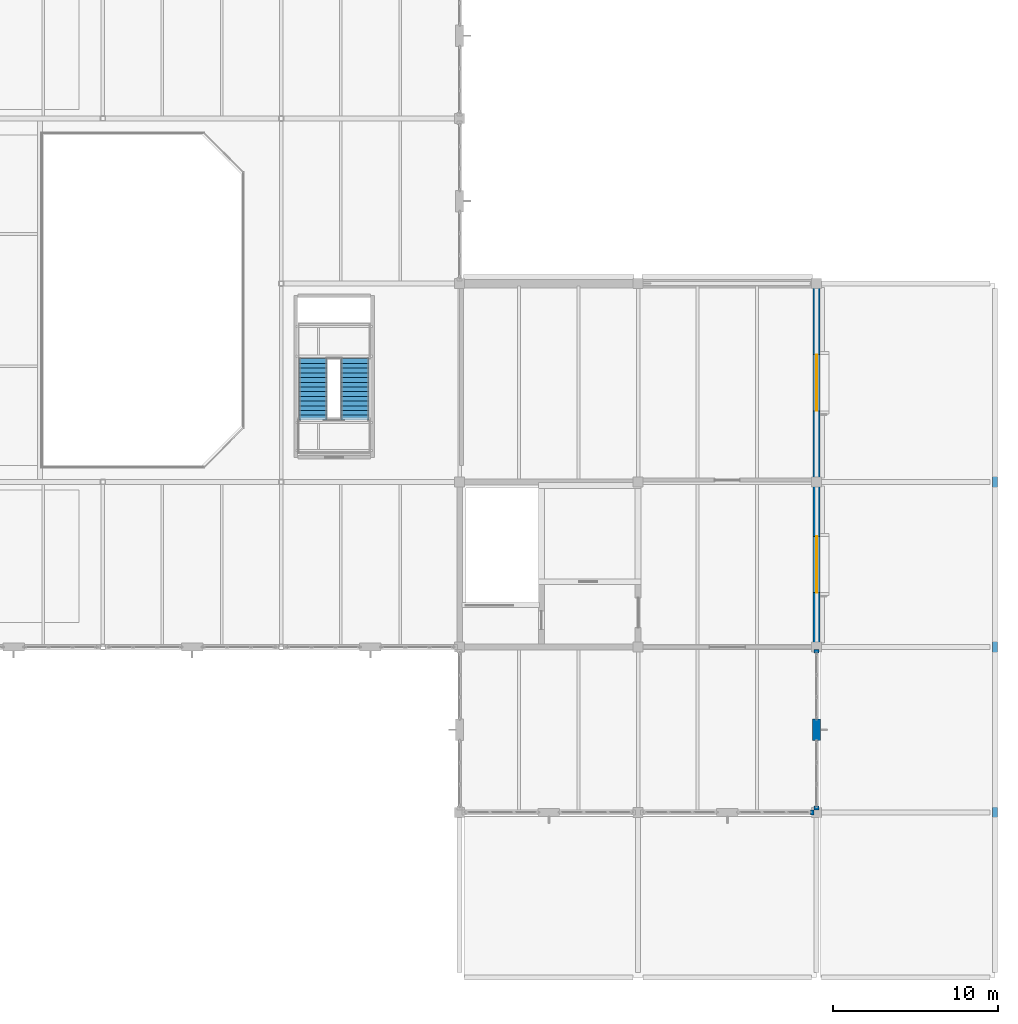
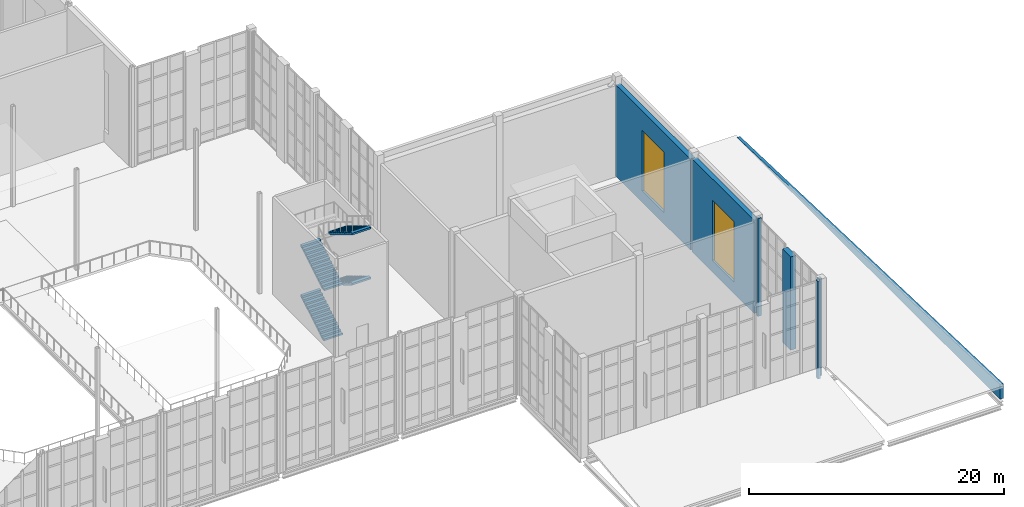
# One storey, part 89 of 100: 7 walls, 4 stair flights, 2 windows, 2 openings, 1 element without a shape of its own.
"""IFC4 building model written with IfcOpenShell, lengths in metres."""

from ifc_helpers import new_model, si_unit, direction, frame, frame_2d, origin, place, context, subcontext, project, spatial, polyline, rectangle, outline, extrude, material, layer, layer_set, type_object, element, fill, aggregate, save


model = new_model("IFC4")

# Units and contexts
model_context = context("Model", 3, precision=1e-05, world=origin(), true_north=direction((0.0, 1.0)))
body_context = subcontext(model_context, "Body", "Model", "MODEL_VIEW")
ifc_project = project(units=[si_unit("LENGTHUNIT", "METRE"), si_unit("AREAUNIT", "SQUARE_METRE"), si_unit("VOLUMEUNIT", "CUBIC_METRE"), si_unit("PLANEANGLEUNIT", "RADIAN"), si_unit("MASSUNIT", "GRAM", prefix="KILO")], contexts=[model_context])

# Site, building, storey
site_placement = place(None, origin())
site = spatial("IfcSite", under=ifc_project, at=site_placement, CompositionType="ELEMENT")
building_placement = place(site_placement, origin())
building = spatial("IfcBuilding", under=site, at=building_placement, Name="Tasgan Crest Museum", CompositionType="ELEMENT")
storey_placement = place(building_placement, frame((0.0, 0.0, 14.39990234375)))
storey = spatial("IfcBuildingStorey", under=building, at=storey_placement, Name="L03", CompositionType="ELEMENT", Elevation=14.39990234375)

# Walls
ifc_material_1 = material(Name="Precast concrete C40/50", Category="concrete")
ifc_layer_1 = layer(ifc_material_1, 0.320068359375, Name="WL-EXT-CLER-320")
ifc_layer_set_1 = layer_set([ifc_layer_1], Name="Precast concrete C40/50")
wall_type_1 = type_object("IfcWallType", Name="WL-EXT-CLER-320", PredefinedType="STANDARD", material=ifc_layer_set_1)
for number, where, z_axis, x_axis, name in (
    (1, (129.22998046875, 30.0, 0.0), (0.0, 0.0, 1.0), (1.0, 0.0, 0.0), "Curtain wall jamb closure L03 JR"),
    (2, (129.60009765625, 30.14501953125, 0.0), (0.0, 0.0, 1.0), (0.0, 1.0, 0.0), "Curtain wall jamb closure L03 JL"),
    (3, (129.60009765625, 39.6298828125, 0.0), (0.0, 0.0, 1.0), (0.0, 1.0, 0.0), "Curtain wall jamb closure L03 JR"),
):
    element("IfcWall", number, at=place(storey_placement, frame(where, z_axis=z_axis, x_axis=x_axis)), inside=storey, type_object=wall_type_1, Name=name, PredefinedType="STANDARD", context=body_context, shape_type="SweptSolid", body=[
        extrude(rectangle(XDim=0.22509765625, YDim=0.300048828125, at=frame_2d((0.112548828125, 0.0))), origin(), (0.0, 0.0, 1.0), 9.360107421875),
    ])
wall_1_placement = place(storey_placement, frame((140.39990234375, 20.35009765625, -0.02001953125), z_axis=(0.0, 0.0, 1.0), x_axis=(0.0, 1.0, 0.0)))
element("IfcWall", 4, at=wall_1_placement, inside=storey, type_object=wall_type_1, Name="Sloped roof gable wall V3-L02E-E", PredefinedType="STANDARD", context=body_context, shape_type="SweptSolid", body=[
    extrude(outline(polyline([(0.0, 0.0), (41.2998046875, 0.0), (41.300048828125, 0.0400390625), (0.0, 1.420166015625), (0.0, 0.0)])), frame((0.0, 0.14013671875, 0.0), z_axis=(0.0, -1.0, 0.0), x_axis=(1.0, 0.0, 0.0)), (0.0, 0.0, 1.0), 0.280029296875),
])
ifc_material_2 = material(Name="Precast concrete C40/50", Category="concrete")
ifc_layer_2 = layer(ifc_material_2, 0.47998046875, Name="WL-EXT-GRAN-480")
ifc_layer_set_2 = layer_set([ifc_layer_2], Name="Precast concrete C40/50")
wall_type_2 = type_object("IfcWallType", Name="WL-EXT-GRAN-480", PredefinedType="STANDARD", material=ifc_layer_set_2)
wall_2_placement = place(storey_placement, frame((129.60009765625, 34.35009765625, 0.0), z_axis=(0.0, 0.0, 1.0), x_axis=(0.0, 1.0, 0.0)))
element("IfcWall", 5, at=wall_2_placement, inside=storey, type_object=wall_type_2, Name="Postmodern facade stone pier L03", PredefinedType="STANDARD", context=body_context, shape_type="SweptSolid", body=[
    extrude(rectangle(XDim=1.2998046875, YDim=0.47998046875, at=frame_2d((0.64990234375, 0.0))), origin(), (0.0, 0.0, 1.0), 8.92919921875),
])

# Wall, opening, window
ifc_material_3 = material(Name="Precast concrete C40/50", Category="concrete")
ifc_layer_3 = layer(ifc_material_3, 0.419921875, Name="WL-EXT-SAND-420")
ifc_layer_set_3 = layer_set([ifc_layer_3], Name="Precast concrete C40/50")
wall_type_3 = type_object("IfcWallType", Name="WL-EXT-SAND-420", PredefinedType="STANDARD", material=ifc_layer_set_3)
wall_3_placement = place(storey_placement, frame((129.60009765625, 40.14501953125, 0.0), z_axis=(0.0, 0.0, 1.0), x_axis=(0.0, 1.0, 0.0)))
wall_3 = element("IfcWall", 6, at=wall_3_placement, inside=storey, type_object=wall_type_3, Name="Exterior wall L03 (129.6,45.0)", PredefinedType="STANDARD", context=body_context, shape_type="SweptSolid", body=[
    extrude(rectangle(XDim=9.7099609375, YDim=0.419921875, at=frame_2d((4.85498046875, 0.0))), origin(), (0.0, 0.0, 1.0), 8.92919921875),
])
opening_1_placement = place(wall_3_placement, frame((3.155029296875, 0.0, 1.10009765625)))
opening_1 = element("IfcOpeningElement", 7, at=opening_1_placement, cuts=wall_3, Name="Opening W09", PredefinedType="OPENING", context=body_context, shape_type="SweptSolid", body=[
    extrude(rectangle(XDim=3.39990234375, YDim=5.800048828125, at=frame_2d((1.699951171875, 2.89990234375))), frame((0.0, 0.219970703125, 0.0), z_axis=(0.0, -1.0, 0.0), x_axis=(1.0, 0.0, 0.0)), (0.0, 0.0, 1.0), 0.43994140625),
])
ifc_material_4 = material(Name="Thermally Broken Triple-Glazed Aluminium", Category="aluminium")
window_type = type_object("IfcWindowType", Name="WN-GAL-DH-3400X5800", PartitioningType="SINGLE_PANEL", PredefinedType="WINDOW", material=ifc_material_4)
window_1_placement = place(opening_1_placement, origin())
window_1 = element("IfcWindow", 8, at=window_1_placement, inside=storey, type_object=window_type, Name="Window W09 L03-048", OverallHeight=5.800048828125, OverallWidth=3.39990234375, PartitioningType="SINGLE_PANEL", PredefinedType="WINDOW", context=body_context, shape_type="SweptSolid", body=[
    extrude(rectangle(XDim=3.39990234375, YDim=5.800048828125, at=frame_2d((1.699951171875, 2.89990234375))), frame((0.0, 0.030029296875, 0.0), z_axis=(0.0, -1.0, 0.0), x_axis=(1.0, 0.0, 0.0)), (0.0, 0.0, 1.0), 0.06005859375),
])
fill(opening_1, window_1)

wall_4_placement = place(storey_placement, frame((129.60009765625, 50.14501953125, 0.0), z_axis=(0.0, 0.0, 1.0), x_axis=(0.0, 1.0, 0.0)))
wall_4 = element("IfcWall", 9, at=wall_4_placement, inside=storey, type_object=wall_type_3, Name="Exterior wall L03 (129.6,56.0)", PredefinedType="STANDARD", context=body_context, shape_type="SweptSolid", body=[
    extrude(rectangle(XDim=11.7099609375, YDim=0.419921875, at=frame_2d((5.85498046875, 0.0))), origin(), (0.0, 0.0, 1.0), 8.7490234375),
])
opening_2_placement = place(wall_4_placement, frame((4.155029296875, 0.0, 1.10009765625)))
opening_2 = element("IfcOpeningElement", 10, at=opening_2_placement, cuts=wall_4, Name="Opening W09", PredefinedType="OPENING", context=body_context, shape_type="SweptSolid", body=[
    extrude(rectangle(XDim=3.39990234375, YDim=5.800048828125, at=frame_2d((1.699951171875, 2.89990234375))), frame((0.0, 0.219970703125, 0.0), z_axis=(0.0, -1.0, 0.0), x_axis=(1.0, 0.0, 0.0)), (0.0, 0.0, 1.0), 0.43994140625),
])
window_2_placement = place(opening_2_placement, origin())
window_2 = element("IfcWindow", 11, at=window_2_placement, inside=storey, type_object=window_type, Name="Window W09 L03-049", OverallHeight=5.800048828125, OverallWidth=3.39990234375, PartitioningType="SINGLE_PANEL", PredefinedType="WINDOW", context=body_context, shape_type="SweptSolid", body=[
    extrude(rectangle(XDim=3.39990234375, YDim=5.800048828125, at=frame_2d((1.699951171875, 2.89990234375))), frame((0.0, 0.030029296875, 0.0), z_axis=(0.0, -1.0, 0.0), x_axis=(1.0, 0.0, 0.0)), (0.0, 0.0, 1.0), 0.06005859375),
])
fill(opening_2, window_2)

# Stair, stair flights
ifc_material_5 = material(Name="Steel S355J2", Category="steel")
stair_type = type_object("IfcStairType", Name="ST-FEAT-96", PredefinedType="HALF_TURN_STAIR", material=ifc_material_5)
stair_placement = place(storey_placement, origin())
stair = element("IfcStair", 12, at=stair_placement, inside=storey, type_object=stair_type, Name="Stair ST-AT-L03 L03", PredefinedType="HALF_TURN_STAIR")
ifc_material_6 = material(Name="Steel S355J2", Category="steel")
stair_flight_type = type_object("IfcStairFlightType", Name="SF-STL-1700", PredefinedType="STRAIGHT", material=ifc_material_6)
stair_flight_1_placement = place(storey_placement, frame((99.1298828125, 53.75, 0.0), z_axis=(0.0, 0.0, 1.0), x_axis=(0.0, 1.0, 0.0)))
stair_flight_1 = element("IfcStairFlight", 13, at=stair_flight_1_placement, type_object=stair_flight_type, Name="ST-AT-L03 flight 1", NumberOfRisers=14, NumberOfTreads=13, PredefinedType="STRAIGHT", RiserHeight=0.171428571, TreadLength=0.285, context=body_context, shape_type="SweptSolid", body=[
    extrude(outline(polyline([(0.0, 0.0), (0.0, 0.17138671875), (0.284912109375, 0.17138671875), (0.284912109375, 0.3427734375), (0.570068359375, 0.3427734375), (0.570068359375, 0.514404296875), (0.85498046875, 0.514404296875), (0.85498046875, 0.685791015625), (1.139892578125, 0.685791015625), (1.139892578125, 0.857177734375), (1.425048828125, 0.857177734375), (1.425048828125, 1.028564453125), (1.7099609375, 1.028564453125), (1.7099609375, 1.199951171875), (1.9951171875, 1.199951171875), (1.9951171875, 1.371337890625), (2.280029296875, 1.371337890625), (2.280029296875, 1.54296875), (2.56494140625, 1.54296875), (2.56494140625, 1.71435546875), (2.85009765625, 1.71435546875), (2.85009765625, 1.8857421875), (3.135009765625, 1.8857421875), (3.135009765625, 2.05712890625), (3.419921875, 2.05712890625), (3.419921875, 2.228515625), (3.705078125, 2.228515625), (3.705078125, 2.39990234375), (3.705078125, 2.0537109375), (0.290771484375, 0.0), (0.0, 0.0)])), frame((0.0, 0.85009765625, 0.0), z_axis=(0.0, -1.0, 0.0), x_axis=(1.0, 0.0, 0.0)), (0.0, 0.0, 1.0), 1.699951171875),
])
stair_flight_2_placement = place(storey_placement, frame((101.669921875, 57.455078125, 2.400146484375), z_axis=(0.0, 0.0, 1.0), x_axis=(0.0, -1.0, 0.0)))
stair_flight_2 = element("IfcStairFlight", 14, at=stair_flight_2_placement, type_object=stair_flight_type, Name="ST-AT-L03 flight 2", NumberOfRisers=14, NumberOfTreads=13, PredefinedType="STRAIGHT", RiserHeight=0.171428571, TreadLength=0.285, context=body_context, shape_type="SweptSolid", body=[
    extrude(outline(polyline([(0.0, 0.0), (0.0, 0.17138671875), (0.284912109375, 0.17138671875), (0.284912109375, 0.3427734375), (0.570068359375, 0.3427734375), (0.570068359375, 0.514404296875), (0.85498046875, 0.514404296875), (0.85498046875, 0.685791015625), (1.139892578125, 0.685791015625), (1.139892578125, 0.857177734375), (1.425048828125, 0.857177734375), (1.425048828125, 1.028564453125), (1.7099609375, 1.028564453125), (1.7099609375, 1.199951171875), (1.9951171875, 1.199951171875), (1.9951171875, 1.371337890625), (2.280029296875, 1.371337890625), (2.280029296875, 1.54296875), (2.56494140625, 1.54296875), (2.56494140625, 1.71435546875), (2.85009765625, 1.71435546875), (2.85009765625, 1.8857421875), (3.135009765625, 1.8857421875), (3.135009765625, 2.05712890625), (3.419921875, 2.05712890625), (3.419921875, 2.228515625), (3.705078125, 2.228515625), (3.705078125, 2.39990234375), (3.705078125, 2.0537109375), (0.290771484375, 0.0), (0.0, 0.0)])), frame((0.0, 0.85009765625, 0.0), z_axis=(0.0, -1.0, 0.0), x_axis=(1.0, 0.0, 0.0)), (0.0, 0.0, 1.0), 1.699951171875),
])
stair_flight_3_placement = place(storey_placement, frame((99.1298828125, 53.75, 4.800048828125), z_axis=(0.0, 0.0, 1.0), x_axis=(0.0, 1.0, 0.0)))
stair_flight_3 = element("IfcStairFlight", 15, at=stair_flight_3_placement, type_object=stair_flight_type, Name="ST-AT-L03 flight 3", NumberOfRisers=14, NumberOfTreads=13, PredefinedType="STRAIGHT", RiserHeight=0.171428571, TreadLength=0.285, context=body_context, shape_type="SweptSolid", body=[
    extrude(outline(polyline([(0.0, 0.0), (0.0, 0.17138671875), (0.284912109375, 0.17138671875), (0.284912109375, 0.3427734375), (0.570068359375, 0.3427734375), (0.570068359375, 0.514404296875), (0.85498046875, 0.514404296875), (0.85498046875, 0.685791015625), (1.139892578125, 0.685791015625), (1.139892578125, 0.857177734375), (1.425048828125, 0.857177734375), (1.425048828125, 1.028564453125), (1.7099609375, 1.028564453125), (1.7099609375, 1.199951171875), (1.9951171875, 1.199951171875), (1.9951171875, 1.371337890625), (2.280029296875, 1.371337890625), (2.280029296875, 1.54296875), (2.56494140625, 1.54296875), (2.56494140625, 1.71435546875), (2.85009765625, 1.71435546875), (2.85009765625, 1.8857421875), (3.135009765625, 1.8857421875), (3.135009765625, 2.05712890625), (3.419921875, 2.05712890625), (3.419921875, 2.228515625), (3.705078125, 2.228515625), (3.705078125, 2.39990234375), (3.705078125, 2.0537109375), (0.290771484375, 0.0), (0.0, 0.0)])), frame((0.0, 0.85009765625, 0.0), z_axis=(0.0, -1.0, 0.0), x_axis=(1.0, 0.0, 0.0)), (0.0, 0.0, 1.0), 1.699951171875),
])
stair_flight_4_placement = place(storey_placement, frame((101.669921875, 57.455078125, 7.2001953125), z_axis=(0.0, 0.0, 1.0), x_axis=(0.0, -1.0, 0.0)))
stair_flight_4 = element("IfcStairFlight", 16, at=stair_flight_4_placement, type_object=stair_flight_type, Name="ST-AT-L03 flight 4", NumberOfRisers=14, NumberOfTreads=13, PredefinedType="STRAIGHT", RiserHeight=0.171428571, TreadLength=0.285, context=body_context, shape_type="SweptSolid", body=[
    extrude(outline(polyline([(0.0, 0.0), (0.0, 0.17138671875), (0.284912109375, 0.17138671875), (0.284912109375, 0.3427734375), (0.570068359375, 0.3427734375), (0.570068359375, 0.514404296875), (0.85498046875, 0.514404296875), (0.85498046875, 0.685791015625), (1.139892578125, 0.685791015625), (1.139892578125, 0.857177734375), (1.425048828125, 0.857177734375), (1.425048828125, 1.028564453125), (1.7099609375, 1.028564453125), (1.7099609375, 1.199951171875), (1.9951171875, 1.199951171875), (1.9951171875, 1.371337890625), (2.280029296875, 1.371337890625), (2.280029296875, 1.54296875), (2.56494140625, 1.54296875), (2.56494140625, 1.71435546875), (2.85009765625, 1.71435546875), (2.85009765625, 1.8857421875), (3.135009765625, 1.8857421875), (3.135009765625, 2.05712890625), (3.419921875, 2.05712890625), (3.419921875, 2.228515625), (3.705078125, 2.228515625), (3.705078125, 2.39990234375), (3.705078125, 2.0537109375), (0.290771484375, 0.0), (0.0, 0.0)])), frame((0.0, 0.85009765625, 0.0), z_axis=(0.0, -1.0, 0.0), x_axis=(1.0, 0.0, 0.0)), (0.0, 0.0, 1.0), 1.699951171875),
])
aggregate(stair, [stair_flight_1, stair_flight_2, stair_flight_3, stair_flight_4])

save(model, "model.ifc")
